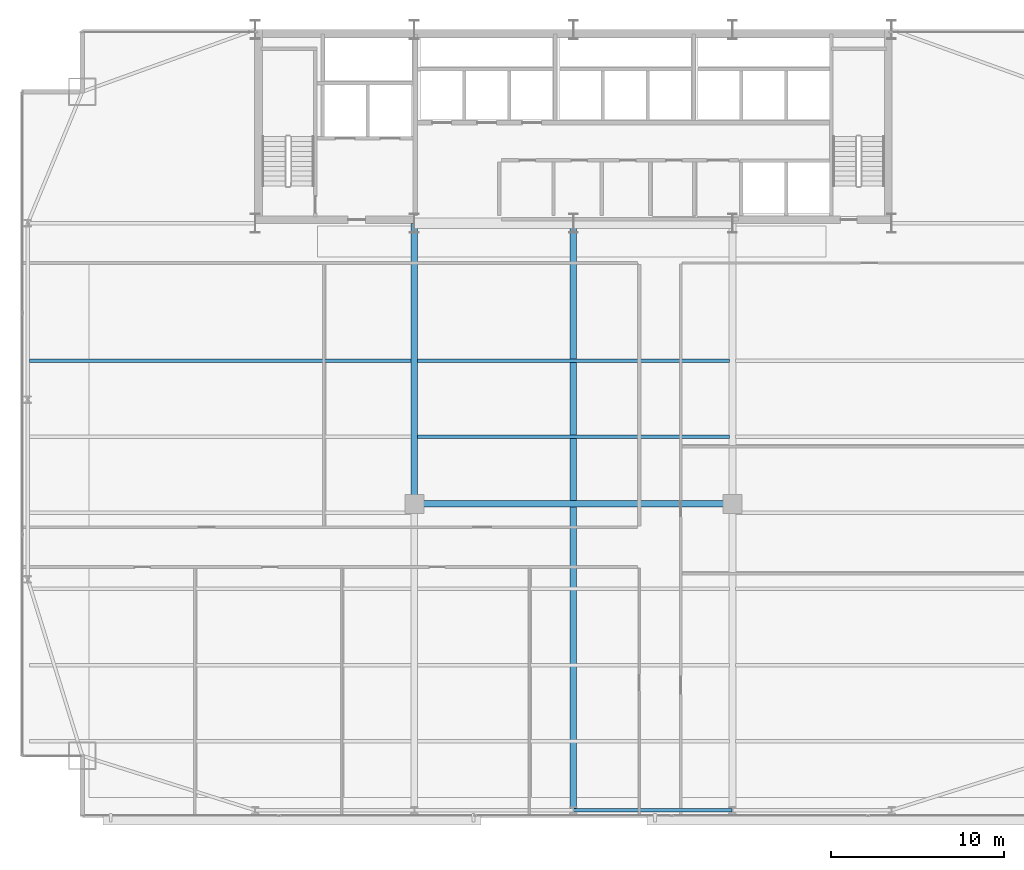
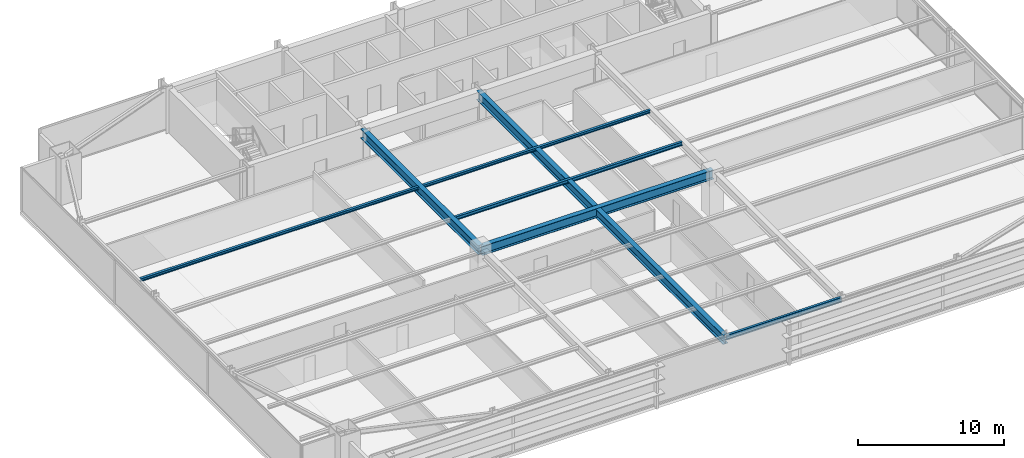
# One storey, part 11 of 30: 7 beams.
"""IFC4 building model written with IfcOpenShell, lengths in metres."""

from ifc_helpers import new_model, si_unit, direction, frame, origin, origin_2d, place, context, subcontext, project, spatial, i_section, extrude, source, transform, mapped, material, material_profile, profile_set, type_object, type_shapes, element, save


model = new_model("IFC4")

# Units and contexts
model_context = context("Model", 3, precision=1e-05, world=origin(), true_north=direction((0.0, 1.0)))
body_context = subcontext(model_context, "Body", "Model", "MODEL_VIEW")
ifc_project = project(units=[si_unit("LENGTHUNIT", "METRE"), si_unit("AREAUNIT", "SQUARE_METRE"), si_unit("VOLUMEUNIT", "CUBIC_METRE"), si_unit("PLANEANGLEUNIT", "RADIAN"), si_unit("MASSUNIT", "GRAM", prefix="KILO")], contexts=[model_context])

# Site, building, storey
site_placement = place(None, origin())
site = spatial("IfcSite", under=ifc_project, at=site_placement, CompositionType="ELEMENT")
building_placement = place(site_placement, origin())
building = spatial("IfcBuilding", under=site, at=building_placement, Name="Varnel Quay Broadcast Tower", CompositionType="ELEMENT")
storey_placement = place(building_placement, frame((0.0, 0.0, 62.699951171875)))
storey = spatial("IfcBuildingStorey", under=building, at=storey_placement, Name="L14", CompositionType="ELEMENT", Elevation=62.699951171875)

# Beams
ifc_material = material(Name="Structural Steel CSA G40.21 350W", Category="steel")
ifc_material_profile_1 = material_profile(ifc_material, i_section(OverallWidth=0.180908203125, OverallDepth=0.4169921875, WebThickness=0.010986328125, FlangeThickness=0.018310546875, FilletRadius=0.011962890625, at=origin_2d()), Name="W410X85")
ifc_profile_set_1 = profile_set([ifc_material_profile_1], Name="Structural Steel CSA G40.21 350W")
beam_type_1 = type_object("IfcBeamType", Name="Beam_W410X85", PredefinedType="SPANDREL", material=ifc_profile_set_1)
shared_shape_1 = source(origin(), body_context, "Body", "SweptSolid", [
    extrude(i_section(OverallWidth=0.180908203125, OverallDepth=0.4169921875, WebThickness=0.010986328125, FlangeThickness=0.018310546875, FilletRadius=0.011962890625, at=origin_2d()), origin(), (0.0, 0.0, 1.0), 9.159912109375),
])
type_shapes(beam_type_1, [shared_shape_1])
beam_1_placement = place(storey_placement, frame((34.02001953125, 1.64990234375, 3.441650390625), z_axis=(1.0, 0.0, 0.0), x_axis=(0.0, 1.0, 0.0)))
element("IfcBeam", 1, at=beam_1_placement, inside=storey, type_object=beam_type_1, Name="L14 South Spandrel TC-S3-TC-S4", PredefinedType="SPANDREL", context=body_context, shape_type="MappedRepresentation", body=[
    mapped(shared_shape_1, transform((0.0, 0.0, 0.0), x_axis=(1.0, 0.0, 0.0), y_axis=(0.0, 1.0, 0.0), z_axis=(0.0, 0.0, 1.0), scale=1.0)),
])
ifc_material_profile_2 = material_profile(ifc_material, i_section(OverallWidth=0.381103515625, OverallDepth=0.77294921875, WebThickness=0.0166015625, FlangeThickness=0.027587890625, FilletRadius=0.01806640625, at=origin_2d()), Name="W760X257")
ifc_profile_set_2 = profile_set([ifc_material_profile_2], Name="Structural Steel CSA G40.21 350W")
beam_type_2 = type_object("IfcBeamType", Name="Girder_W760X257", PredefinedType="BEAM", material=ifc_profile_set_2)
shared_shape_2 = source(origin(), body_context, "Body", "SweptSolid", [
    extrude(i_section(OverallWidth=0.381103515625, OverallDepth=0.77294921875, WebThickness=0.0166015625, FlangeThickness=0.027587890625, FilletRadius=0.01806640625, at=origin_2d()), origin(), (0.0, 0.0, 1.0), 16.190185546875),
])
beam_2_placement = place(storey_placement, frame((24.800048828125, 19.389892578125, 3.263427734375), z_axis=(0.0, 1.0, 0.0), x_axis=(-1.0, 0.0, 0.0)))
element("IfcBeam", 2, at=beam_2_placement, inside=storey, type_object=beam_type_2, Name="L14 Primary Girder IC-01-CC-S2", PredefinedType="BEAM", context=body_context, shape_type="MappedRepresentation", body=[
    mapped(shared_shape_2, transform((0.0, 0.0, 0.0), x_axis=(1.0, 0.0, 0.0), y_axis=(0.0, 1.0, 0.0), z_axis=(0.0, 0.0, 1.0), scale=1.0)),
])
shared_shape_3 = source(origin(), body_context, "Body", "SweptSolid", [
    extrude(i_section(OverallWidth=0.381103515625, OverallDepth=0.77294921875, WebThickness=0.0166015625, FlangeThickness=0.027587890625, FilletRadius=0.01806640625, at=origin_2d()), origin(), (0.0, 0.0, 1.0), 18.35986328125),
])
beam_3_placement = place(storey_placement, frame((24.820068359375, 19.3701171875, 3.263427734375), z_axis=(1.0, 0.0, 0.0), x_axis=(0.0, 1.0, 0.0)))
element("IfcBeam", 3, at=beam_3_placement, inside=storey, type_object=beam_type_2, Name="L14 Interior Spine Girder", PredefinedType="BEAM", context=body_context, shape_type="MappedRepresentation", body=[
    mapped(shared_shape_3, transform((0.0, 0.0, 0.0), x_axis=(1.0, 0.0, 0.0), y_axis=(0.0, 1.0, 0.0), z_axis=(0.0, 0.0, 1.0), scale=1.0)),
])
shared_shape_4 = source(origin(), body_context, "Body", "SweptSolid", [
    extrude(i_section(OverallWidth=0.381103515625, OverallDepth=0.77294921875, WebThickness=0.0166015625, FlangeThickness=0.027587890625, FilletRadius=0.01806640625, at=origin_2d()), origin(), (0.0, 0.0, 1.0), 33.91015625),
])
type_shapes(beam_type_2, [shared_shape_2, shared_shape_3, shared_shape_4])
beam_4_placement = place(storey_placement, frame((34.0, 1.669921875, 3.263427734375), z_axis=(0.0, 1.0, 0.0), x_axis=(-1.0, 0.0, 0.0)))
element("IfcBeam", 4, at=beam_4_placement, inside=storey, type_object=beam_type_2, Name="L14 Central Bay Girder", PredefinedType="BEAM", context=body_context, shape_type="MappedRepresentation", body=[
    mapped(shared_shape_4, transform((0.0, 0.0, 0.0), x_axis=(1.0, 0.0, 0.0), y_axis=(0.0, 1.0, 0.0), z_axis=(0.0, 0.0, 1.0), scale=1.0)),
])
ifc_material_profile_3 = material_profile(ifc_material, i_section(OverallWidth=0.202880859375, OverallDepth=0.302978515625, WebThickness=0.007568359375, FlangeThickness=0.01318359375, FilletRadius=0.011962890625, at=origin_2d()), Name="W310X60")
ifc_profile_set_3 = profile_set([ifc_material_profile_3], Name="Structural Steel CSA G40.21 350W")
beam_type_3 = type_object("IfcBeamType", Name="Beam_W310X60", PredefinedType="JOIST", material=ifc_profile_set_3)
shared_shape_5 = source(origin(), body_context, "Body", "SweptSolid", [
    extrude(i_section(OverallWidth=0.202880859375, OverallDepth=0.302978515625, WebThickness=0.007568359375, FlangeThickness=0.01318359375, FilletRadius=0.011962890625, at=origin_2d()), origin(), (0.0, 0.0, 1.0), 18.02880859375),
])
type_shapes(beam_type_3, [shared_shape_5])
beam_5_placement = place(storey_placement, frame((24.985595703125, 23.25, 3.49853515625), z_axis=(1.0, 0.0, 0.0), x_axis=(0.0, 1.0, 0.0)))
element("IfcBeam", 5, at=beam_5_placement, inside=storey, type_object=beam_type_3, Name="L14 Central Floor Joist 5", PredefinedType="JOIST", context=body_context, shape_type="MappedRepresentation", body=[
    mapped(shared_shape_5, transform((0.0, 0.0, 0.0), x_axis=(1.0, 0.0, 0.0), y_axis=(0.0, 1.0, 0.0), z_axis=(0.0, 0.0, 1.0), scale=1.0)),
])
ifc_material_profile_4 = material_profile(ifc_material, i_section(OverallWidth=0.201904296875, OverallDepth=0.2470703125, WebThickness=0.00732421875, FlangeThickness=0.010986328125, FilletRadius=0.010986328125, at=origin_2d()), Name="W250X49")
ifc_profile_set_4 = profile_set([ifc_material_profile_4], Name="Structural Steel CSA G40.21 350W")
beam_type_4 = type_object("IfcBeamType", Name="Beam_W250X49", PredefinedType="JOIST", material=ifc_profile_set_4)
shared_shape_6 = source(origin(), body_context, "Body", "SweptSolid", [
    extrude(i_section(OverallWidth=0.201904296875, OverallDepth=0.2470703125, WebThickness=0.00732421875, FlangeThickness=0.010986328125, FilletRadius=0.010986328125, at=origin_2d()), origin(), (0.0, 0.0, 1.0), 22.0791015625),
])
beam_6_placement = place(storey_placement, frame((2.535400390625, 27.64990234375, 3.526611328125), z_axis=(1.0, 0.0, 0.0), x_axis=(0.0, 1.0, 0.0)))
element("IfcBeam", 6, at=beam_6_placement, inside=storey, type_object=beam_type_4, Name="L14 West Floor Joist 6", PredefinedType="JOIST", context=body_context, shape_type="MappedRepresentation", body=[
    mapped(shared_shape_6, transform((0.0, 0.0, 0.0), x_axis=(1.0, 0.0, 0.0), y_axis=(0.0, 1.0, 0.0), z_axis=(0.0, 0.0, 1.0), scale=1.0)),
])
shared_shape_7 = source(origin(), body_context, "Body", "SweptSolid", [
    extrude(i_section(OverallWidth=0.201904296875, OverallDepth=0.2470703125, WebThickness=0.00732421875, FlangeThickness=0.010986328125, FilletRadius=0.010986328125, at=origin_2d()), origin(), (0.0, 0.0, 1.0), 18.02880859375),
])
type_shapes(beam_type_4, [shared_shape_6, shared_shape_7])
beam_7_placement = place(storey_placement, frame((24.985595703125, 27.64990234375, 3.526611328125), z_axis=(1.0, 0.0, 0.0), x_axis=(0.0, 1.0, 0.0)))
element("IfcBeam", 7, at=beam_7_placement, inside=storey, type_object=beam_type_4, Name="L14 Central Floor Joist 6", PredefinedType="JOIST", context=body_context, shape_type="MappedRepresentation", body=[
    mapped(shared_shape_7, transform((0.0, 0.0, 0.0), x_axis=(1.0, 0.0, 0.0), y_axis=(0.0, 1.0, 0.0), z_axis=(0.0, 0.0, 1.0), scale=1.0)),
])

save(model, "model.ifc")
